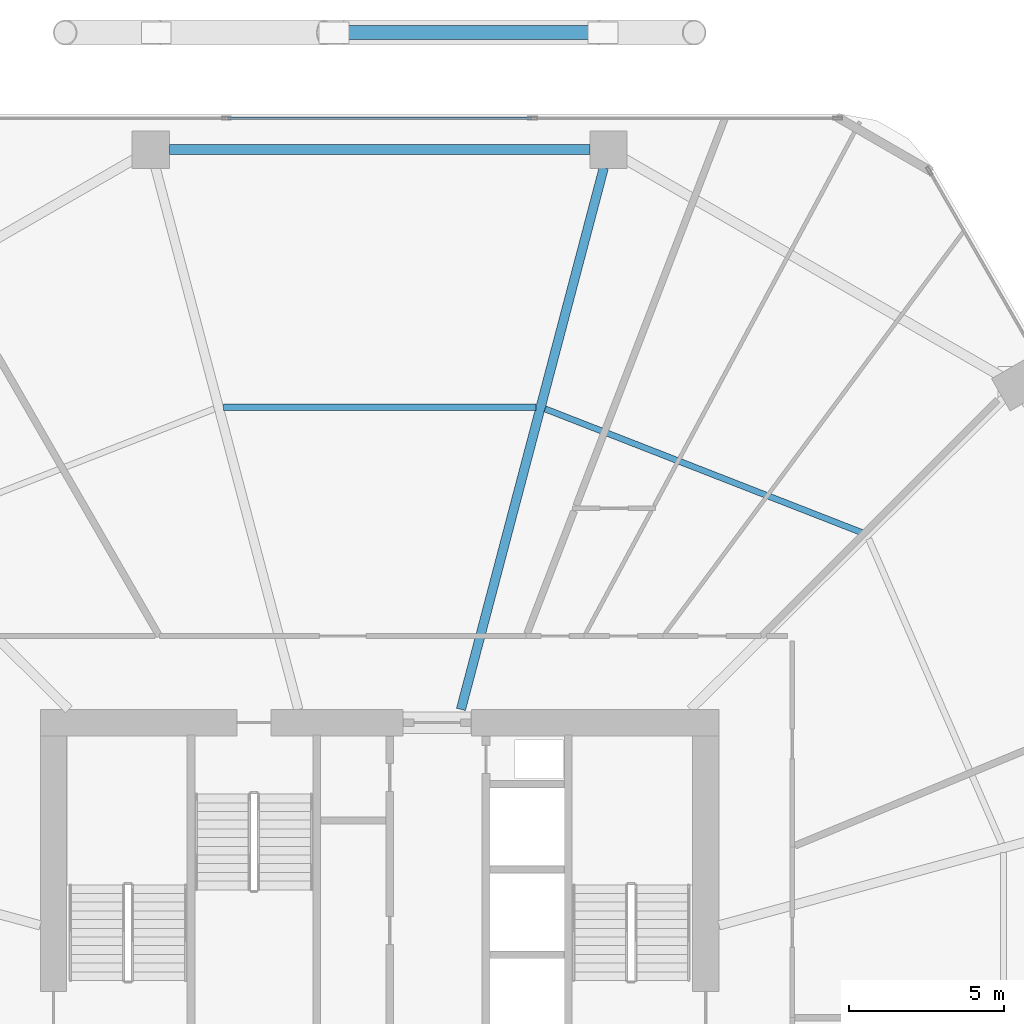
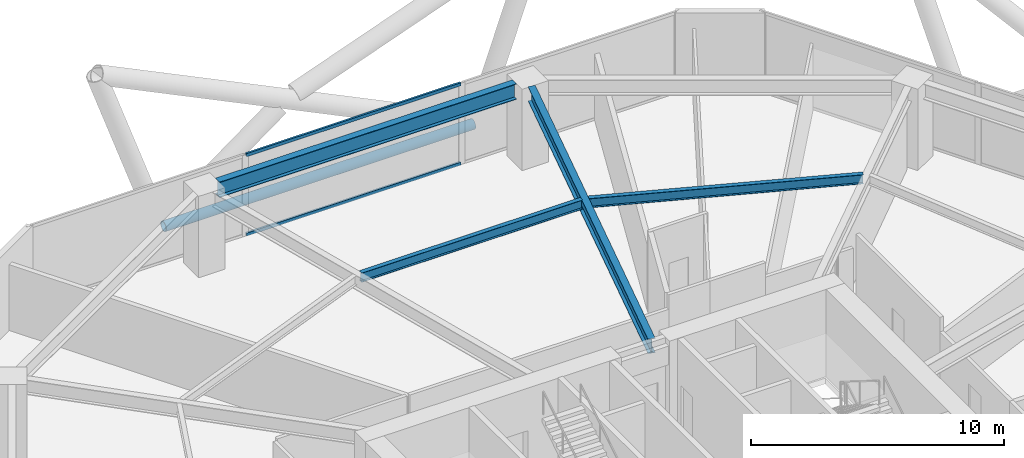
# One storey, part 20 of 28: 4 beams, 3 members, 1 element without a shape of its own.
"""IFC4 building model written with IfcOpenShell, lengths in metres."""

from ifc_helpers import new_model, si_unit, direction, frame, origin, origin_2d, place, context, subcontext, project, spatial, hollow_rectangle, hollow_circle, i_section, extrude, material, material_profile, profile_set, type_object, element, aggregate, save


model = new_model("IFC4")

# Units and contexts
model_context = context("Model", 3, precision=1e-05, world=origin(), true_north=direction((0.0, 1.0)))
body_context = subcontext(model_context, "Body", "Model", "MODEL_VIEW")
ifc_project = project(units=[si_unit("LENGTHUNIT", "METRE"), si_unit("AREAUNIT", "SQUARE_METRE"), si_unit("VOLUMEUNIT", "CUBIC_METRE"), si_unit("PLANEANGLEUNIT", "RADIAN"), si_unit("MASSUNIT", "GRAM", prefix="KILO")], contexts=[model_context])

# Site, building, storey
site_placement = place(None, origin())
site = spatial("IfcSite", under=ifc_project, at=site_placement, CompositionType="ELEMENT")
building_placement = place(site_placement, origin())
building = spatial("IfcBuilding", under=site, at=building_placement, Name="Zuhravey Tower", CompositionType="ELEMENT")
storey_placement = place(building_placement, frame((0.0, 0.0, 66.60009765625)))
storey = spatial("IfcBuildingStorey", under=building, at=storey_placement, Name="L16", CompositionType="ELEMENT", Elevation=66.60009765625)

# Curtain wall, members
ifc_material_1 = material(Name="Thermally broken anodised aluminium", Category="aluminium")
curtain_wall_type = type_object("IfcCurtainWallType", Name="School Low-E Unitised Curtain Wall CW1", PredefinedType="NOTDEFINED", material=ifc_material_1)
curtain_wall_placement = place(storey_placement, origin())
curtain_wall = element("IfcCurtainWall", 1, at=curtain_wall_placement, inside=storey, type_object=curtain_wall_type, Name="L16 CW1 CW-L16-F2-1", PredefinedType="NOTDEFINED")
ifc_material_2 = material(Name="Anodised aluminium", Category="aluminium")
ifc_material_profile_1 = material_profile(ifc_material_2, hollow_rectangle(XDim=0.090087890625, YDim=0.14990234375, WallThickness=0.0048828125, at=origin_2d()), Name="ALU-RHS-90x150x5")
ifc_profile_set_1 = profile_set([ifc_material_profile_1], Name="Anodised aluminium")
member_type_1 = type_object("IfcMemberType", Name="Curtain-Wall Transom 90x150", PredefinedType="USERDEFINED", material=ifc_profile_set_1)
member_1_placement = place(storey_placement, frame((31.11181640625, 60.95849609375, 0.044921875), z_axis=(1.0, 0.0, 0.0), x_axis=(0.0, 1.0, 0.0)))
member_1 = element("IfcMember", 2, at=member_1_placement, type_object=member_type_1, Name="CW1 transom 2.1", ObjectType="TRANSOM", PredefinedType="USERDEFINED", context=body_context, shape_type="SweptSolid", body=[
    extrude(hollow_rectangle(XDim=0.090087890625, YDim=0.14990234375, WallThickness=0.0048828125, at=origin_2d()), origin(), (0.0, 0.0, 1.0), 9.7763671875),
])
member_2_placement = place(storey_placement, frame((31.11181640625, 60.95849609375, 3.875), z_axis=(1.0, 0.0, 0.0), x_axis=(0.0, 1.0, 0.0)))
member_2 = element("IfcMember", 3, at=member_2_placement, type_object=member_type_1, Name="CW1 transom 2.2", ObjectType="TRANSOM", PredefinedType="USERDEFINED", context=body_context, shape_type="SweptSolid", body=[
    extrude(hollow_rectangle(XDim=0.090087890625, YDim=0.14990234375, WallThickness=0.0048828125, at=origin_2d()), origin(), (0.0, 0.0, 1.0), 9.7763671875),
])
aggregate(curtain_wall, [member_1, member_2])

# Member
ifc_material_3 = material(Name="Steel SM355", Category="steel")
ifc_material_profile_2 = material_profile(ifc_material_3, hollow_circle(Radius=0.228515625, WallThickness=0.02197265625, at=origin_2d()), Name="CHS-457.2x22")
ifc_profile_set_2 = profile_set([ifc_material_profile_2], Name="Steel SM355")
member_type_2 = type_object("IfcMemberType", Name="Exoskeleton Ring Tie CHS457x22", PredefinedType="CHORD", material=ifc_profile_set_2)
member_3_placement = place(storey_placement, frame((43.053955078125, 63.718505859375, -0.494140625), z_axis=(-1.0, 0.0, 0.0), x_axis=(0.0, -1.0, 0.0)))
element("IfcMember", 4, at=member_3_placement, inside=storey, type_object=member_type_2, Name="L16 Exoskeleton Face 2 Tie EXR1", PredefinedType="CHORD", context=body_context, shape_type="SweptSolid", body=[
    extrude(hollow_circle(Radius=0.228515625, WallThickness=0.02197265625, at=origin_2d()), origin(), (0.0, 0.0, 1.0), 14.10791015625),
])

# Beams
ifc_material_profile_3 = material_profile(ifc_material_3, i_section(OverallWidth=0.320068359375, OverallDepth=0.75, WebThickness=0.013916015625, FlangeThickness=0.02490234375, at=origin_2d()), Name="H-750x320x14x25")
ifc_profile_set_3 = profile_set([ifc_material_profile_3], Name="Steel SM355")
beam_type_1 = type_object("IfcBeamType", Name="Perimeter Ring Beam H750x320", PredefinedType="BEAM", material=ifc_profile_set_3)
beam_1_placement = place(storey_placement, frame((42.76708984375, 59.948486328125, 3.544921875), z_axis=(-1.0, 0.0, 0.0), x_axis=(0.0, -1.0, 0.0)))
element("IfcBeam", 5, at=beam_1_placement, inside=storey, type_object=beam_type_1, Name="L16 PB1 BM-L16-PB-03", PredefinedType="BEAM", context=body_context, shape_type="SweptSolid", body=[
    extrude(i_section(OverallWidth=0.320068359375, OverallDepth=0.75, WebThickness=0.013916015625, FlangeThickness=0.02490234375, at=origin_2d()), origin(), (0.0, 0.0, 1.0), 13.5341796875),
])
ifc_material_profile_4 = material_profile(ifc_material_3, i_section(OverallWidth=0.300048828125, OverallDepth=0.699951171875, WebThickness=0.012939453125, FlangeThickness=0.02392578125, at=origin_2d()), Name="H-700x300x13x24")
ifc_profile_set_4 = profile_set([ifc_material_profile_4], Name="Steel SM355")
beam_type_2 = type_object("IfcBeamType", Name="Radial Primary Girder H700x300", PredefinedType="BEAM", material=ifc_profile_set_4)
beam_2_placement = place(storey_placement, frame((38.617919921875, 41.927978515625, 3.56982421875), z_axis=(0.254989720435, 0.966943763862, 0.0), x_axis=(-0.966943763862, 0.254989720435, 0.0)))
element("IfcBeam", 6, at=beam_2_placement, inside=storey, type_object=beam_type_2, Name="L16 RG1 BM-L16-RAD-03", PredefinedType="BEAM", context=body_context, shape_type="SweptSolid", body=[
    extrude(i_section(OverallWidth=0.300048828125, OverallDepth=0.699951171875, WebThickness=0.012939453125, FlangeThickness=0.02392578125, at=origin_2d()), origin(), (0.0, 0.0, 1.0), 18.03369140625),
])
ifc_material_profile_5 = material_profile(ifc_material_3, i_section(OverallWidth=0.199951171875, OverallDepth=0.449951171875, WebThickness=0.009033203125, FlangeThickness=0.013916015625, at=origin_2d()), Name="H-450x200x9x14")
ifc_profile_set_5 = profile_set([ifc_material_profile_5], Name="Steel SM355")
beam_type_3 = type_object("IfcBeamType", Name="Secondary Floor Joist H450x200", PredefinedType="JOIST", material=ifc_profile_set_5)
beam_3_placement = place(storey_placement, frame((51.5400390625, 47.61572265625, 3.69482421875), z_axis=(-0.931516535886, 0.363698973562, 0.0), x_axis=(-0.363698973562, -0.931516535886, 0.0)))
element("IfcBeam", 7, at=beam_3_placement, inside=storey, type_object=beam_type_3, Name="L16 SJ1 BM-L16-SJ-02-1", PredefinedType="JOIST", context=body_context, shape_type="SweptSolid", body=[
    extrude(i_section(OverallWidth=0.199951171875, OverallDepth=0.449951171875, WebThickness=0.009033203125, FlangeThickness=0.013916015625, at=origin_2d()), origin(), (0.0, 0.0, 1.0), 10.963134765625),
])
beam_4_placement = place(storey_placement, frame((41.030029296875, 51.6591796875, 3.69482421875), z_axis=(-1.0, 0.0, 0.0), x_axis=(0.0, -1.0, 0.0)))
element("IfcBeam", 8, at=beam_4_placement, inside=storey, type_object=beam_type_3, Name="L16 SJ1 BM-L16-SJ-03-1", PredefinedType="JOIST", context=body_context, shape_type="SweptSolid", body=[
    extrude(i_section(OverallWidth=0.199951171875, OverallDepth=0.449951171875, WebThickness=0.009033203125, FlangeThickness=0.013916015625, at=origin_2d()), origin(), (0.0, 0.0, 1.0), 10.06005859375),
])

save(model, "model.ifc")
